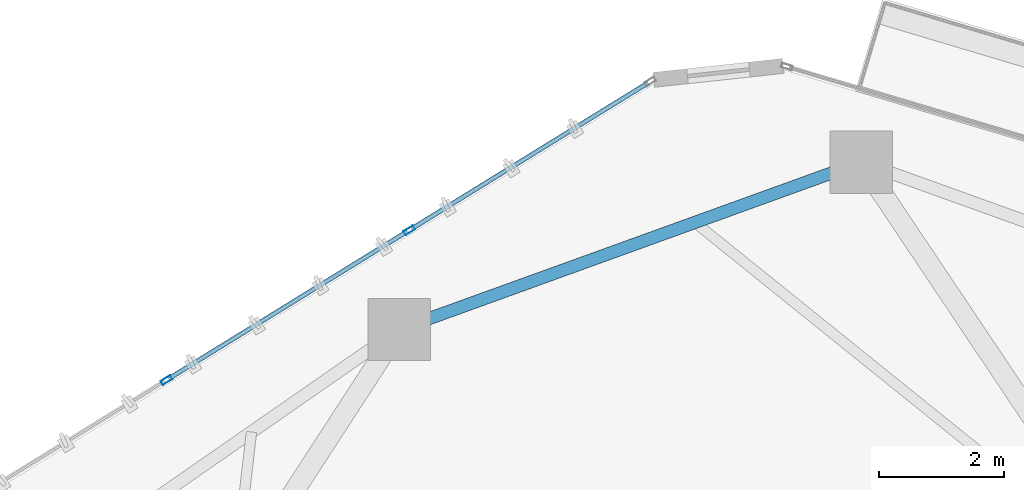
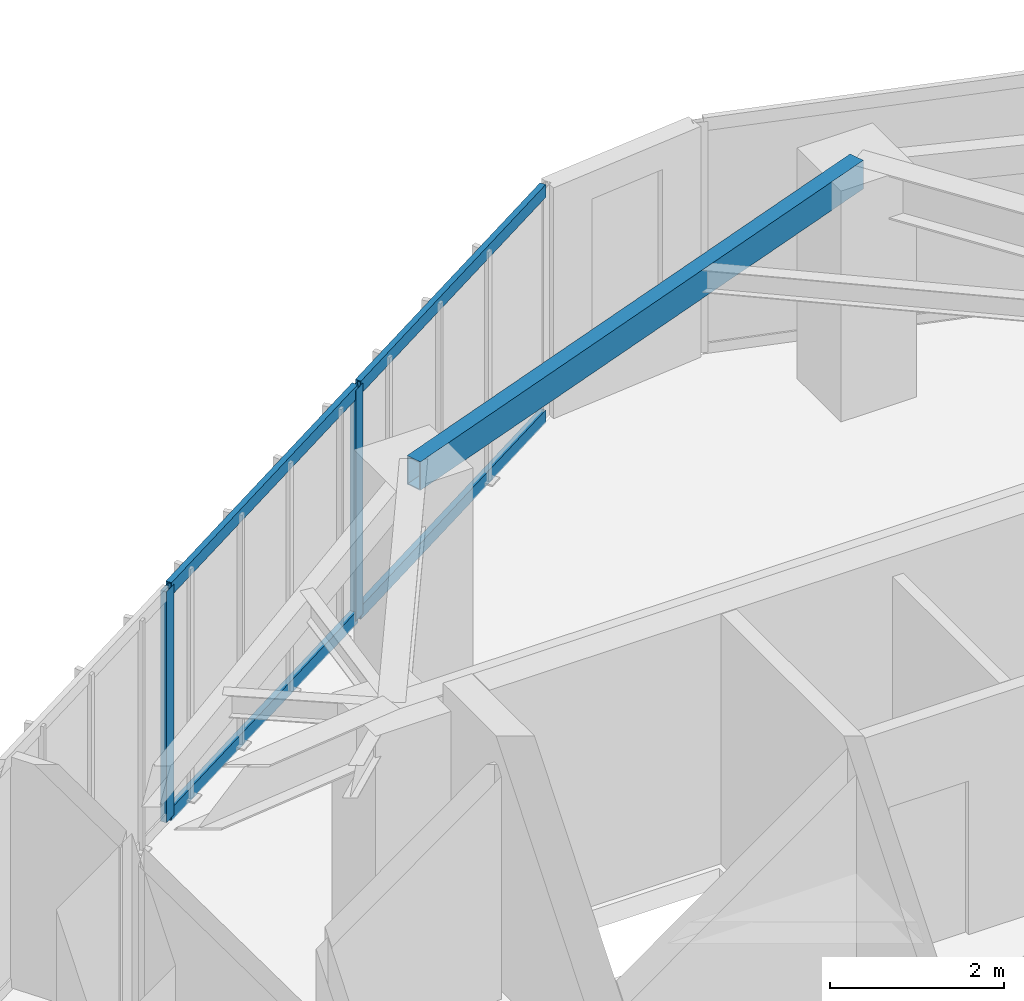
# One storey, part 12 of 21: 6 members, 1 beam, 1 element without a shape of its own.
"""IFC4 building model written with IfcOpenShell, lengths in metres."""

from ifc_helpers import new_model, si_unit, direction, frame, origin, origin_2d, place, context, subcontext, project, spatial, hollow_rectangle, extrude, source, transform, mapped, material, layer, layer_set, material_profile, profile_set, type_object, type_shapes, element, aggregate, save


model = new_model("IFC4")

# Units and contexts
model_context = context("Model", 3, precision=1e-05, world=origin(), true_north=direction((0.0, 1.0)))
body_context = subcontext(model_context, "Body", "Model", "MODEL_VIEW")
ifc_project = project(units=[si_unit("LENGTHUNIT", "METRE"), si_unit("AREAUNIT", "SQUARE_METRE"), si_unit("VOLUMEUNIT", "CUBIC_METRE"), si_unit("PLANEANGLEUNIT", "RADIAN"), si_unit("MASSUNIT", "GRAM", prefix="KILO")], contexts=[model_context])

# Site, building, storey
site_placement = place(None, origin())
site = spatial("IfcSite", under=ifc_project, at=site_placement, CompositionType="ELEMENT")
building_placement = place(site_placement, origin())
building = spatial("IfcBuilding", under=site, at=building_placement, Name="Talar Marvaseh", CompositionType="ELEMENT")
storey_placement = place(building_placement, frame((0.0, 0.0, 184.5)))
storey = spatial("IfcBuildingStorey", under=building, at=storey_placement, Name="L48", CompositionType="ELEMENT", Elevation=184.5)

# Beam
ifc_material_1 = material(Name="Steel S355", Category="steel")
ifc_material_profile_1 = material_profile(ifc_material_1, hollow_rectangle(XDim=0.199951171875, YDim=0.39990234375, WallThickness=0.013916015625, at=origin_2d()), Name="RHS400x200x14")
ifc_profile_set_1 = profile_set([ifc_material_profile_1], Name="Steel S355")
beam_type = type_object("IfcBeamType", Name="Zone 3 Perimeter Spandrel Beam RHS400x200x14", PredefinedType="SPANDREL", material=ifc_profile_set_1)
beam_placement = place(storey_placement, frame((21.35205078125, 40.986083984375, 3.030029296875), z_axis=(0.940368006783, 0.340158803824, 0.0), x_axis=(-0.340158803824, 0.940368006783, 0.0)))
element("IfcBeam", 1, at=beam_placement, inside=storey, type_object=beam_type, Name="L48 Zone 3 Perimeter Spandrel Beam RHS400x200x14", PredefinedType="SPANDREL", context=body_context, shape_type="SweptSolid", body=[
    extrude(hollow_rectangle(XDim=0.199951171875, YDim=0.39990234375, WallThickness=0.013916015625, at=origin_2d()), origin(), (0.0, 0.0, 1.0), 7.88427734375),
])

# Curtain wall, members
ifc_material_2 = material(Name="Architectural Aluminium", Category="aluminium")
ifc_layer = layer(ifc_material_2, 0.18994140625)
ifc_layer_set = layer_set([ifc_layer], Name="Architectural Aluminium")
curtain_wall_type = type_object("IfcCurtainWallType", Name="Unitised Solar Atelier Curtain Wall Z3", PredefinedType="NOTDEFINED", material=ifc_layer_set)
curtain_wall_placement = place(storey_placement, origin())
curtain_wall = element("IfcCurtainWall", 2, at=curtain_wall_placement, inside=storey, type_object=curtain_wall_type, Name="L48 Unitised Solar Atelier Curtain Wall Z3", PredefinedType="NOTDEFINED")
ifc_material_profile_2 = material_profile(ifc_material_2, hollow_rectangle(XDim=0.074951171875, YDim=0.179931640625, WallThickness=0.0048828125, at=origin_2d()), Name="RHS180x75x5")
ifc_profile_set_2 = profile_set([ifc_material_profile_2], Name="Architectural Aluminium")
member_type_1 = type_object("IfcMemberType", Name="Unitised Curtain Wall Standard Mullion RHS180x75x5", PredefinedType="MULLION", material=ifc_profile_set_2)
shared_shape_1 = source(origin(), body_context, "Body", "SweptSolid", [
    extrude(hollow_rectangle(XDim=0.074951171875, YDim=0.179931640625, WallThickness=0.0048828125, at=origin_2d()), origin(), (0.0, 0.0, 1.0), 3.22998046875),
])
type_shapes(member_type_1, [shared_shape_1])
member_1_placement = place(storey_placement, frame((17.62109375, 40.173583984375, 0.0), z_axis=(0.0, 0.0, 1.0), x_axis=(-0.525203385249, 0.850976735359, 0.0)))
member_1 = element("IfcMember", 3, at=member_1_placement, type_object=member_type_1, Name="CW-Z3 mullion 2", PredefinedType="MULLION", context=body_context, shape_type="MappedRepresentation", body=[
    mapped(shared_shape_1, transform((0.0, 0.0, 0.0), x_axis=(1.0, 0.0, 0.0), y_axis=(0.0, 1.0, 0.0), z_axis=(0.0, 0.0, 1.0), scale=1.0)),
])
member_2_placement = place(storey_placement, frame((21.516357421875, 42.57763671875, 0.0), z_axis=(0.0, 0.0, 1.0), x_axis=(-0.525203385249, 0.850976735359, 0.0)))
member_2 = element("IfcMember", 4, at=member_2_placement, type_object=member_type_1, Name="CW-Z3 mullion 3", PredefinedType="MULLION", context=body_context, shape_type="MappedRepresentation", body=[
    mapped(shared_shape_1, transform((0.0, 0.0, 0.0), x_axis=(1.0, 0.0, 0.0), y_axis=(0.0, 1.0, 0.0), z_axis=(0.0, 0.0, 1.0), scale=1.0)),
])
ifc_material_profile_3 = material_profile(ifc_material_2, hollow_rectangle(XDim=0.074951171875, YDim=0.179931640625, WallThickness=0.0048828125, at=origin_2d()), Name="RHS180x75x5")
ifc_profile_set_3 = profile_set([ifc_material_profile_3], Name="Architectural Aluminium")
member_type_2 = type_object("IfcMemberType", Name="Unitised Curtain Wall Transom RHS180x75x5", PredefinedType="USERDEFINED", material=ifc_profile_set_3)
shared_shape_2 = source(origin(), body_context, "Body", "SweptSolid", [
    extrude(hollow_rectangle(XDim=0.074951171875, YDim=0.179931640625, WallThickness=0.0048828125, at=origin_2d()), origin(), (0.0, 0.0, 1.0), 4.502197265625),
])
member_3_placement = place(storey_placement, frame((17.653076171875, 40.193359375, 0.03759765625), z_axis=(0.850985479894, 0.525189216388, 0.0), x_axis=(-0.525189216388, 0.850985479894, 0.0)))
member_3 = element("IfcMember", 5, at=member_3_placement, type_object=member_type_2, Name="CW-Z3 transom 2.1", ObjectType="TRANSOM", PredefinedType="USERDEFINED", context=body_context, shape_type="MappedRepresentation", body=[
    mapped(shared_shape_2, transform((0.0, 0.0, 0.0), x_axis=(1.0, 0.0, 0.0), y_axis=(0.0, 1.0, 0.0), z_axis=(0.0, 0.0, 1.0), scale=1.0)),
])
member_4_placement = place(storey_placement, frame((17.653076171875, 40.193359375, 3.1923828125), z_axis=(0.850985479894, 0.525189216388, 0.0), x_axis=(-0.525189216388, 0.850985479894, 0.0)))
member_4 = element("IfcMember", 6, at=member_4_placement, type_object=member_type_2, Name="CW-Z3 transom 2.2", ObjectType="TRANSOM", PredefinedType="USERDEFINED", context=body_context, shape_type="MappedRepresentation", body=[
    mapped(shared_shape_2, transform((0.0, 0.0, 0.0), x_axis=(1.0, 0.0, 0.0), y_axis=(0.0, 1.0, 0.0), z_axis=(0.0, 0.0, 1.0), scale=1.0)),
])
shared_shape_3 = source(origin(), body_context, "Body", "SweptSolid", [
    extrude(hollow_rectangle(XDim=0.074951171875, YDim=0.179931640625, WallThickness=0.0048828125, at=origin_2d()), origin(), (0.0, 0.0, 1.0), 4.46484375),
])
type_shapes(member_type_2, [shared_shape_2, shared_shape_3])
member_5_placement = place(storey_placement, frame((21.548095703125, 42.59716796875, 0.03759765625), z_axis=(0.850979858178, 0.525198325374, 0.0), x_axis=(-0.525198325374, 0.850979858178, 0.0)))
member_5 = element("IfcMember", 7, at=member_5_placement, type_object=member_type_2, Name="CW-Z3 transom 3.1", ObjectType="TRANSOM", PredefinedType="USERDEFINED", context=body_context, shape_type="MappedRepresentation", body=[
    mapped(shared_shape_3, transform((0.0, 0.0, 0.0), x_axis=(1.0, 0.0, 0.0), y_axis=(0.0, 1.0, 0.0), z_axis=(0.0, 0.0, 1.0), scale=1.0)),
])
member_6_placement = place(storey_placement, frame((21.548095703125, 42.59716796875, 3.1923828125), z_axis=(0.850979858178, 0.525198325374, 0.0), x_axis=(-0.525198325374, 0.850979858178, 0.0)))
member_6 = element("IfcMember", 8, at=member_6_placement, type_object=member_type_2, Name="CW-Z3 transom 3.2", ObjectType="TRANSOM", PredefinedType="USERDEFINED", context=body_context, shape_type="MappedRepresentation", body=[
    mapped(shared_shape_3, transform((0.0, 0.0, 0.0), x_axis=(1.0, 0.0, 0.0), y_axis=(0.0, 1.0, 0.0), z_axis=(0.0, 0.0, 1.0), scale=1.0)),
])
aggregate(curtain_wall, [member_1, member_2, member_3, member_4, member_5, member_6])

save(model, "model.ifc")
